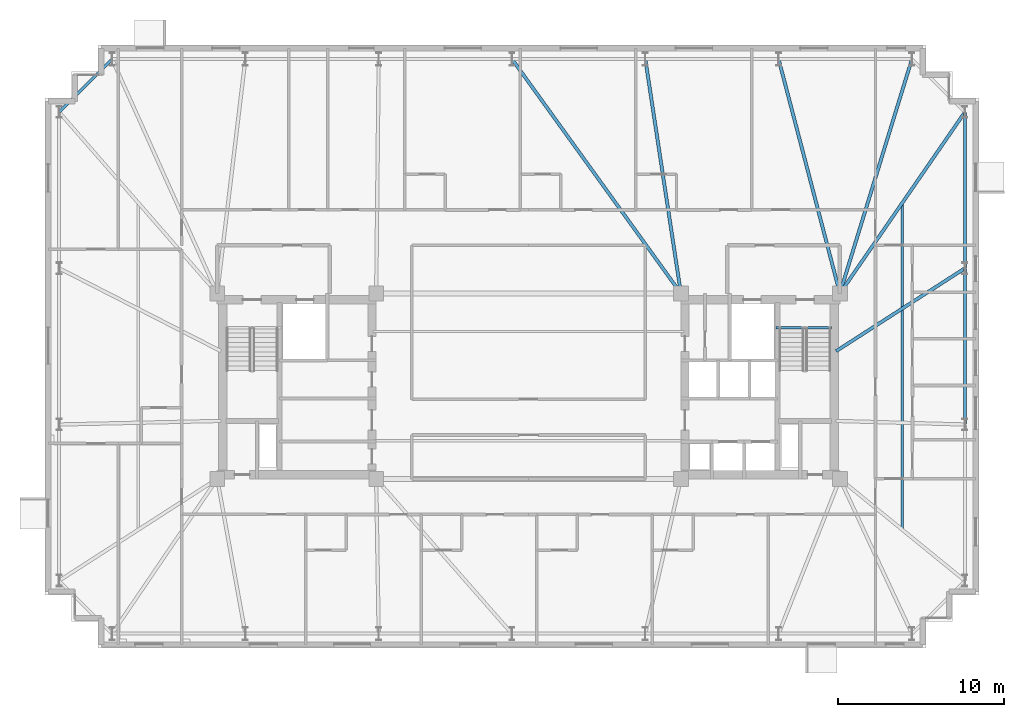
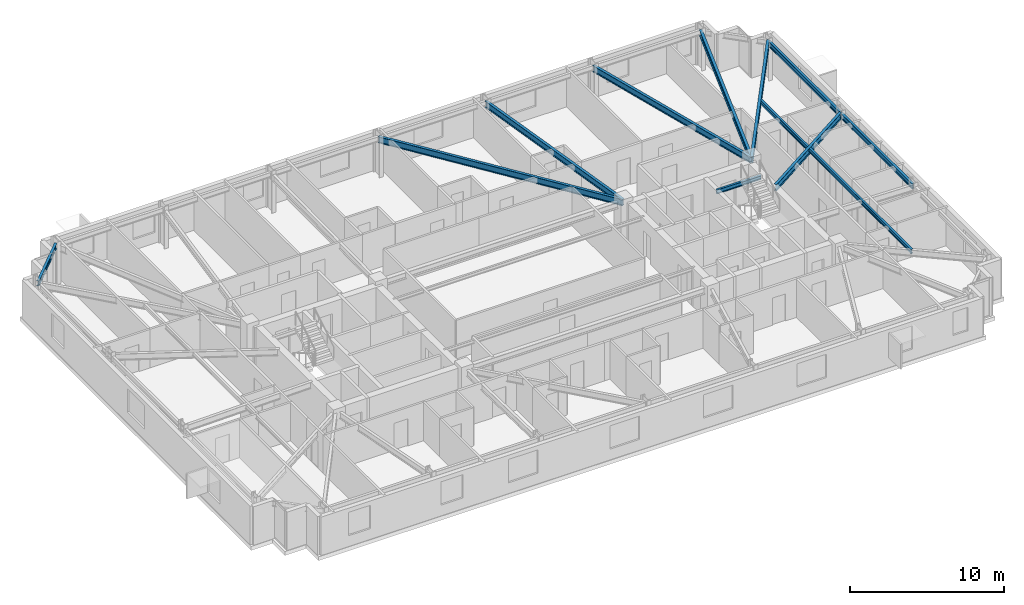
# One storey, part 6 of 17: 11 beams.
"""IFC4 building model written with IfcOpenShell, lengths in metres."""

from ifc_helpers import new_model, si_unit, direction, frame, origin, origin_2d, place, context, subcontext, project, spatial, i_section, extrude, material, material_profile, profile_set, type_object, element, save


model = new_model("IFC4")

# Units and contexts
model_context = context("Model", 3, precision=1e-05, world=origin(), true_north=direction((0.0, 1.0)))
body_context = subcontext(model_context, "Body", "Model", "MODEL_VIEW")
ifc_project = project(units=[si_unit("LENGTHUNIT", "METRE"), si_unit("AREAUNIT", "SQUARE_METRE"), si_unit("VOLUMEUNIT", "CUBIC_METRE"), si_unit("PLANEANGLEUNIT", "RADIAN"), si_unit("MASSUNIT", "GRAM", prefix="KILO")], contexts=[model_context])

# Site, building, storey
site_placement = place(None, origin())
site = spatial("IfcSite", under=ifc_project, at=site_placement, CompositionType="ELEMENT")
building_placement = place(site_placement, origin())
building = spatial("IfcBuilding", under=site, at=building_placement, Name="Qobustan Lattice House", CompositionType="ELEMENT")
storey_placement = place(building_placement, frame((0.0, 0.0, 157.800048828125)))
storey = spatial("IfcBuildingStorey", under=building, at=storey_placement, Name="L44", CompositionType="ELEMENT", Elevation=157.800048828125)

# Beams
ifc_material_1 = material(Name="Steel S355", Category="steel")
ifc_material_profile_1 = material_profile(ifc_material_1, i_section(OverallWidth=0.199951171875, OverallDepth=0.5, WebThickness=0.01025390625, FlangeThickness=0.01611328125, FilletRadius=0.02099609375, at=origin_2d()), Name="IPE500")
ifc_profile_set_1 = profile_set([ifc_material_profile_1], Name="Steel S355")
beam_type_1 = type_object("IfcBeamType", Name="BM-FLG-IPE500", PredefinedType="USERDEFINED", material=ifc_profile_set_1)
beam_1_placement = place(storey_placement, frame((-0.9853515625, 19.729736328125, 2.7900390625), z_axis=(0.584755393146, -0.811209670916, 0.0), x_axis=(0.811209670916, 0.584755393146, 0.0)))
element("IfcBeam", 1, at=beam_1_placement, inside=storey, type_object=beam_type_1, Name="L44 primary floor girder RAD-N4", ObjectType="GIRDER", PredefinedType="USERDEFINED", context=body_context, shape_type="SweptSolid", body=[
    extrude(i_section(OverallWidth=0.199951171875, OverallDepth=0.5, WebThickness=0.01025390625, FlangeThickness=0.01611328125, FilletRadius=0.02099609375, at=origin_2d()), origin(), (0.0, 0.0, 1.0), 17.39306640625),
])
beam_2_placement = place(storey_placement, frame((7.0537109375, 19.725341796875, 2.7900390625), z_axis=(0.150225226731, -0.988651799803, 0.0), x_axis=(0.988651799803, 0.150225226731, 0.0)))
element("IfcBeam", 2, at=beam_2_placement, inside=storey, type_object=beam_type_1, Name="L44 primary floor girder RAD-N3", ObjectType="GIRDER", PredefinedType="USERDEFINED", context=body_context, shape_type="SweptSolid", body=[
    extrude(i_section(OverallWidth=0.199951171875, OverallDepth=0.5, WebThickness=0.01025390625, FlangeThickness=0.01611328125, FilletRadius=0.02099609375, at=origin_2d()), origin(), (0.0, 0.0, 1.0), 14.262451171875),
])
beam_3_placement = place(storey_placement, frame((15.106201171875, 19.725830078125, 2.7900390625), z_axis=(0.252989153576, -0.967469114842, 0.0), x_axis=(0.967469114842, 0.252989153576, 0.0)))
element("IfcBeam", 3, at=beam_3_placement, inside=storey, type_object=beam_type_1, Name="L44 primary floor girder RAD-N2", ObjectType="GIRDER", PredefinedType="USERDEFINED", context=body_context, shape_type="SweptSolid", body=[
    extrude(i_section(OverallWidth=0.199951171875, OverallDepth=0.5, WebThickness=0.01025390625, FlangeThickness=0.01611328125, FilletRadius=0.02099609375, at=origin_2d()), origin(), (0.0, 0.0, 1.0), 14.57568359375),
])
beam_4_placement = place(storey_placement, frame((23.142578125, 19.72607421875, 2.7900390625), z_axis=(-0.293840483469, -0.955854471285, 0.0), x_axis=(0.955854471285, -0.293840483469, 0.0)))
element("IfcBeam", 4, at=beam_4_placement, inside=storey, type_object=beam_type_1, Name="L44 primary floor girder RAD-N1E", ObjectType="GIRDER", PredefinedType="USERDEFINED", context=body_context, shape_type="SweptSolid", body=[
    extrude(i_section(OverallWidth=0.199951171875, OverallDepth=0.5, WebThickness=0.01025390625, FlangeThickness=0.01611328125, FilletRadius=0.02099609375, at=origin_2d()), origin(), (0.0, 0.0, 1.0), 14.753662109375),
])
beam_5_placement = place(storey_placement, frame((26.335693359375, 16.529296875, 2.7900390625), z_axis=(-0.567643395011, -0.82327454479, 0.0), x_axis=(0.82327454479, -0.567643395011, 0.0)))
element("IfcBeam", 5, at=beam_5_placement, inside=storey, type_object=beam_type_1, Name="L44 primary floor girder RAD-E4", ObjectType="GIRDER", PredefinedType="USERDEFINED", context=body_context, shape_type="SweptSolid", body=[
    extrude(i_section(OverallWidth=0.199951171875, OverallDepth=0.5, WebThickness=0.01025390625, FlangeThickness=0.01611328125, FilletRadius=0.02099609375, at=origin_2d()), origin(), (0.0, 0.0, 1.0), 13.25048828125),
])
beam_6_placement = place(storey_placement, frame((26.3291015625, 7.103271484375, 2.7900390625), z_axis=(-0.841058920931, -0.540943519715, 0.0), x_axis=(0.540943519715, -0.841058920931, 0.0)))
element("IfcBeam", 6, at=beam_6_placement, inside=storey, type_object=beam_type_1, Name="L44 primary floor girder RAD-E3", ObjectType="GIRDER", PredefinedType="USERDEFINED", context=body_context, shape_type="SweptSolid", body=[
    extrude(i_section(OverallWidth=0.199951171875, OverallDepth=0.5, WebThickness=0.01025390625, FlangeThickness=0.01611328125, FilletRadius=0.02099609375, at=origin_2d()), origin(), (0.0, 0.0, 1.0), 9.22412109375),
])
ifc_material_2 = material(Name="Steel S355", Category="steel")
ifc_material_profile_2 = material_profile(ifc_material_2, i_section(OverallWidth=0.159912109375, OverallDepth=0.330078125, WebThickness=0.007568359375, FlangeThickness=0.011474609375, FilletRadius=0.01806640625, at=origin_2d()), Name="IPE330")
ifc_profile_set_2 = profile_set([ifc_material_profile_2], Name="Steel S355")
beam_type_2 = type_object("IfcBeamType", Name="BM-SEC-IPE330", PredefinedType="BEAM", material=ifc_profile_set_2)
beam_7_placement = place(storey_placement, frame((22.574951171875, 11.074951171875, 2.875), z_axis=(0.0, -1.0, 0.0), x_axis=(1.0, 0.0, 0.0)))
element("IfcBeam", 7, at=beam_7_placement, inside=storey, type_object=beam_type_2, Name="L44 east wing secondary beam", PredefinedType="BEAM", context=body_context, shape_type="SweptSolid", body=[
    extrude(i_section(OverallWidth=0.159912109375, OverallDepth=0.330078125, WebThickness=0.007568359375, FlangeThickness=0.011474609375, FilletRadius=0.01806640625, at=origin_2d()), origin(), (0.0, 0.0, 1.0), 19.75),
])
ifc_material_3 = material(Name="Steel S355", Category="steel")
ifc_material_profile_3 = material_profile(ifc_material_3, i_section(OverallWidth=0.159912109375, OverallDepth=0.330078125, WebThickness=0.007568359375, FlangeThickness=0.011474609375, FilletRadius=0.01806640625, at=origin_2d()), Name="IPE330")
ifc_profile_set_3 = profile_set([ifc_material_profile_3], Name="Steel S355")
beam_type_3 = type_object("IfcBeamType", Name="BM-SPD-IPE330", PredefinedType="SPANDREL", material=ifc_profile_set_3)
beam_8_placement = place(storey_placement, frame((14.949951171875, 3.52001953125, 2.875), z_axis=(1.0, 0.0, 0.0), x_axis=(0.0, 1.0, 0.0)))
element("IfcBeam", 8, at=beam_8_placement, inside=storey, type_object=beam_type_3, Name="L44 east stair landing trimmer beam", PredefinedType="SPANDREL", context=body_context, shape_type="SweptSolid", body=[
    extrude(i_section(OverallWidth=0.159912109375, OverallDepth=0.330078125, WebThickness=0.007568359375, FlangeThickness=0.011474609375, FilletRadius=0.01806640625, at=origin_2d()), origin(), (0.0, 0.0, 1.0), 3.35009765625),
])
ifc_material_4 = material(Name="Steel S355", Category="steel")
ifc_material_profile_4 = material_profile(ifc_material_4, i_section(OverallWidth=0.179931640625, OverallDepth=0.39990234375, WebThickness=0.008544921875, FlangeThickness=0.013427734375, FilletRadius=0.02099609375, at=origin_2d()), Name="IPE400")
ifc_profile_set_4 = profile_set([ifc_material_profile_4], Name="Steel S355")
beam_type_4 = type_object("IfcBeamType", Name="BM-SPD-IPE400", PredefinedType="SPANDREL", material=ifc_profile_set_4)
beam_9_placement = place(storey_placement, frame((26.35009765625, -2.291748046875, 2.83984375), z_axis=(0.0, 1.0, 0.0), x_axis=(-1.0, 0.0, 0.0)))
element("IfcBeam", 9, at=beam_9_placement, inside=storey, type_object=beam_type_4, Name="L44 perimeter spandrel E2-E3", PredefinedType="SPANDREL", context=body_context, shape_type="SweptSolid", body=[
    extrude(i_section(OverallWidth=0.179931640625, OverallDepth=0.39990234375, WebThickness=0.008544921875, FlangeThickness=0.013427734375, FilletRadius=0.02099609375, at=origin_2d()), origin(), (0.0, 0.0, 1.0), 9.383544921875),
])
beam_10_placement = place(storey_placement, frame((26.35009765625, 7.1416015625, 2.83984375), z_axis=(0.0, 1.0, 0.0), x_axis=(-1.0, 0.0, 0.0)))
element("IfcBeam", 10, at=beam_10_placement, inside=storey, type_object=beam_type_4, Name="L44 perimeter spandrel E3-E4", PredefinedType="SPANDREL", context=body_context, shape_type="SweptSolid", body=[
    extrude(i_section(OverallWidth=0.179931640625, OverallDepth=0.39990234375, WebThickness=0.008544921875, FlangeThickness=0.013427734375, FilletRadius=0.02099609375, at=origin_2d()), origin(), (0.0, 0.0, 1.0), 9.38330078125),
])
beam_11_placement = place(storey_placement, frame((-25.167724609375, 19.732421875, 2.83984375), z_axis=(-0.707079505568, -0.707134055753, 0.0), x_axis=(0.707134055753, -0.707079505568, 0.0)))
element("IfcBeam", 11, at=beam_11_placement, inside=storey, type_object=beam_type_4, Name="L44 perimeter spandrel N7-W1", PredefinedType="SPANDREL", context=body_context, shape_type="SweptSolid", body=[
    extrude(i_section(OverallWidth=0.179931640625, OverallDepth=0.39990234375, WebThickness=0.008544921875, FlangeThickness=0.013427734375, FilletRadius=0.02099609375, at=origin_2d()), origin(), (0.0, 0.0, 1.0), 4.4755859375),
])

save(model, "model.ifc")
